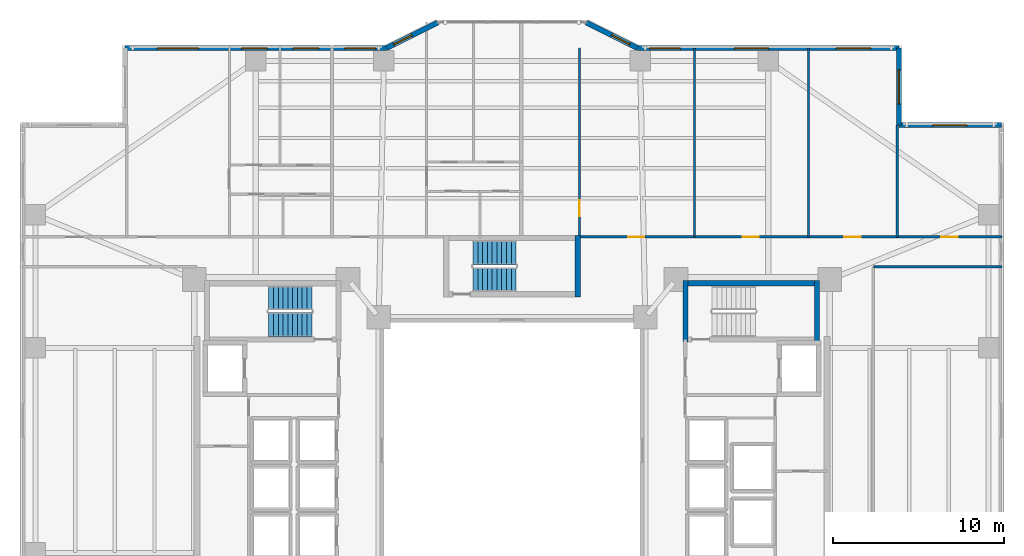
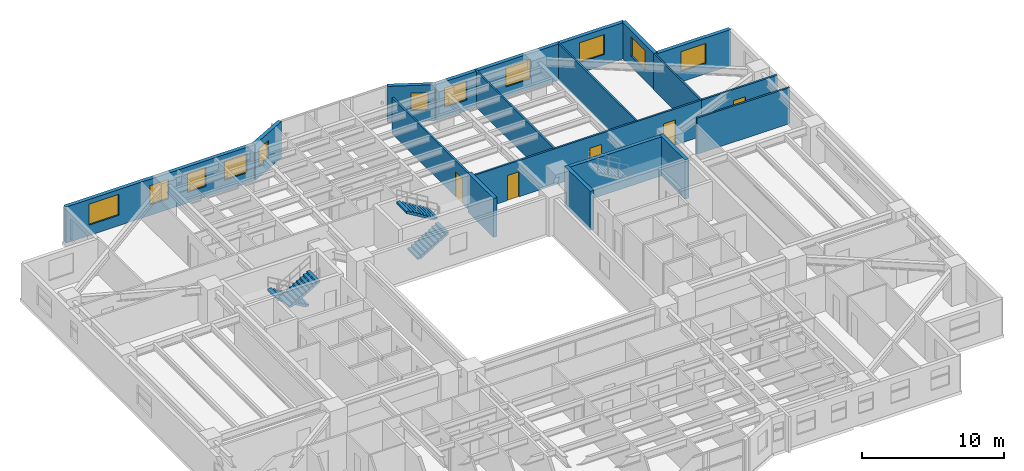
# One storey, part 15 of 21: 17 walls, 11 windows, 5 doors, 4 stair flights, 16 openings, 2 elements without a shape of their own.
"""IFC4 building model written with IfcOpenShell, lengths in metres."""

from ifc_helpers import new_model, si_unit, direction, frame, frame_2d, origin, place, context, subcontext, project, spatial, polyline, rectangle, outline, extrude, material, layer, layer_set, type_object, element, fill, aggregate, save


model = new_model("IFC4")

# Units and contexts
model_context = context("Model", 3, precision=1e-05, world=origin(), true_north=direction((0.0, 1.0)))
body_context = subcontext(model_context, "Body", "Model", "MODEL_VIEW")
ifc_project = project(units=[si_unit("LENGTHUNIT", "METRE"), si_unit("AREAUNIT", "SQUARE_METRE"), si_unit("VOLUMEUNIT", "CUBIC_METRE"), si_unit("PLANEANGLEUNIT", "RADIAN"), si_unit("MASSUNIT", "GRAM", prefix="KILO")], contexts=[model_context])

# Site, building, storey
site_placement = place(None, origin())
site = spatial("IfcSite", under=ifc_project, at=site_placement, CompositionType="ELEMENT")
building_placement = place(site_placement, origin())
building = spatial("IfcBuilding", under=site, at=building_placement, Name="Tarnavaz Court Tower", CompositionType="ELEMENT")
storey_placement = place(building_placement, frame((0.0, 0.0, 37.39990234375)))
storey = spatial("IfcBuildingStorey", under=building, at=storey_placement, Name="L09", CompositionType="ELEMENT", Elevation=37.39990234375)

# Walls
ifc_material_1 = material(Name="Concrete C60/75", Category="concrete")
ifc_layer_1 = layer(ifc_material_1, 0.300048828125)
ifc_layer_set_1 = layer_set([ifc_layer_1], Name="Concrete C60/75")
wall_type_1 = type_object("IfcWallType", Name="WL-CORE-300-C60", PredefinedType="SHEAR", material=ifc_layer_set_1)
wall_1_placement = place(storey_placement, frame((10.0, 9.7900390625, 0.0), z_axis=(0.0, 0.0, 1.0), x_axis=(1.0, 0.0, 0.0)))
element("IfcWall", 1, at=wall_1_placement, inside=storey, type_object=wall_type_1, Name="L09 East Stair Core Wall 005", PredefinedType="SHEAR", context=body_context, shape_type="SweptSolid", body=[
    extrude(rectangle(XDim=8.0, YDim=0.300048828125, at=frame_2d((4.0, 0.0))), origin(), (0.0, 0.0, 1.0), 3.35009765625),
])
for number, where, z_axis, x_axis, name in (
    (2, (10.14990234375, 6.35009765625, 0.0), (0.0, 0.0, 1.0), (0.0, 1.0, 0.0), "L09 East Stair Core Wall 007"),
    (3, (17.85009765625, 6.35009765625, 0.0), (0.0, 0.0, 1.0), (0.0, 1.0, 0.0), "L09 East Stair Core Wall 008"),
):
    element("IfcWall", number, at=place(storey_placement, frame(where, z_axis=z_axis, x_axis=x_axis)), inside=storey, type_object=wall_type_1, Name=name, PredefinedType="SHEAR", context=body_context, shape_type="SweptSolid", body=[
        extrude(rectangle(XDim=3.58984375, YDim=0.300048828125, at=frame_2d((1.794921875, 0.0))), origin(), (0.0, 0.0, 1.0), 3.35009765625),
    ])
wall_2_placement = place(storey_placement, frame((3.85009765625, 9.0, 0.0), z_axis=(0.0, 0.0, 1.0), x_axis=(0.0, 1.0, 0.0)))
element("IfcWall", 4, at=wall_2_placement, inside=storey, type_object=wall_type_1, Name="L09 North Stair Core Wall 012", PredefinedType="SHEAR", context=body_context, shape_type="SweptSolid", body=[
    extrude(rectangle(XDim=3.590087890625, YDim=0.300048828125, at=frame_2d((1.794921875, 0.0))), origin(), (0.0, 0.0, 1.0), 3.35009765625),
])

# Wall, openings, windows
ifc_material_2 = material(Name="Precast Concrete C40/50", Category="concrete")
ifc_layer_2 = layer(ifc_material_2, 0.300048828125)
ifc_layer_set_2 = layer_set([ifc_layer_2], Name="Precast Concrete C40/50")
wall_type_2 = type_object("IfcWallType", Name="WL-EXT-300", PredefinedType="SOLIDWALL", material=ifc_layer_set_2)
wall_3_placement = place(storey_placement, frame((-22.64990234375, 23.550048828125, 0.0), z_axis=(0.0, 0.0, 1.0), x_axis=(1.0, 0.0, 0.0)))
wall_3 = element("IfcWall", 5, at=wall_3_placement, inside=storey, type_object=wall_type_2, Name="L09 Exterior Terracotta Facade Wall 05", PredefinedType="SOLIDWALL", context=body_context, shape_type="SweptSolid", body=[
    extrude(rectangle(XDim=15.2998046875, YDim=0.300048828125, at=frame_2d((7.64990234375, 0.0))), origin(), (0.0, 0.0, 1.0), 3.10009765625),
])
opening_1_placement = place(wall_3_placement, frame((1.885009765625, 0.0, 0.89990234375)))
opening_1 = element("IfcOpeningElement", 6, at=opening_1_placement, cuts=wall_3, Name="Opening W06", PredefinedType="OPENING", context=body_context, shape_type="SweptSolid", body=[
    extrude(rectangle(XDim=2.39990234375, YDim=1.800048828125, at=frame_2d((1.199951171875, 0.89990234375))), frame((0.0, 0.159912109375, 0.0), z_axis=(0.0, -1.0, 0.0), x_axis=(1.0, 0.0, 0.0)), (0.0, 0.0, 1.0), 0.320068359375),
])
opening_2_placement = place(wall_3_placement, frame((6.82470703125, 0.0, 0.89990234375)))
opening_2 = element("IfcOpeningElement", 7, at=opening_2_placement, cuts=wall_3, Name="Opening W03", PredefinedType="OPENING", context=body_context, shape_type="SweptSolid", body=[
    extrude(rectangle(XDim=1.5, YDim=1.64990234375, at=frame_2d((0.75, 0.824951171875))), frame((0.0, 0.159912109375, 0.0), z_axis=(0.0, -1.0, 0.0), x_axis=(1.0, 0.0, 0.0)), (0.0, 0.0, 1.0), 0.320068359375),
])
opening_3_placement = place(wall_3_placement, frame((9.834716796875, 0.0, 0.89990234375)))
opening_3 = element("IfcOpeningElement", 8, at=opening_3_placement, cuts=wall_3, Name="Opening W03", PredefinedType="OPENING", context=body_context, shape_type="SweptSolid", body=[
    extrude(rectangle(XDim=1.5, YDim=1.64990234375, at=frame_2d((0.75, 0.824951171875))), frame((0.0, 0.159912109375, 0.0), z_axis=(0.0, -1.0, 0.0), x_axis=(1.0, 0.0, 0.0)), (0.0, 0.0, 1.0), 0.320068359375),
])
opening_4_placement = place(wall_3_placement, frame((12.8701171875, 0.0, 0.89990234375)))
opening_4 = element("IfcOpeningElement", 9, at=opening_4_placement, cuts=wall_3, Name="Opening W01", PredefinedType="OPENING", context=body_context, shape_type="SweptSolid", body=[
    extrude(rectangle(XDim=1.800048828125, YDim=1.64990234375, at=frame_2d((0.89990234375, 0.824951171875))), frame((0.0, 0.159912109375, 0.0), z_axis=(0.0, -1.0, 0.0), x_axis=(1.0, 0.0, 0.0)), (0.0, 0.0, 1.0), 0.320068359375),
])
ifc_material_3 = material(Name="Double-Glazed Solar Low-E Glass", Category="glass")
window_type_1 = type_object("IfcWindowType", Name="WN-APT-1500", PartitioningType="DOUBLE_PANEL_VERTICAL", PredefinedType="WINDOW", material=ifc_material_3)
window_1_placement = place(opening_2_placement, origin())
window_1 = element("IfcWindow", 10, at=window_1_placement, inside=storey, type_object=window_type_1, Name="L09 Flat 01 Principal Bedroom Window", OverallHeight=1.64990234375, OverallWidth=1.5, PartitioningType="SINGLE_PANEL", PredefinedType="WINDOW", context=body_context, shape_type="SweptSolid", body=[
    extrude(rectangle(XDim=1.5, YDim=1.64990234375, at=frame_2d((0.75, 0.824951171875))), frame((0.0, 0.030029296875, 0.0), z_axis=(0.0, -1.0, 0.0), x_axis=(1.0, 0.0, 0.0)), (0.0, 0.0, 1.0), 0.06005859375),
])
fill(opening_2, window_1)
window_2_placement = place(opening_3_placement, origin())
window_2 = element("IfcWindow", 11, at=window_2_placement, inside=storey, type_object=window_type_1, Name="L09 Flat 01 Bedroom 2 Window", OverallHeight=1.64990234375, OverallWidth=1.5, PartitioningType="SINGLE_PANEL", PredefinedType="WINDOW", context=body_context, shape_type="SweptSolid", body=[
    extrude(rectangle(XDim=1.5, YDim=1.64990234375, at=frame_2d((0.75, 0.824951171875))), frame((0.0, 0.030029296875, 0.0), z_axis=(0.0, -1.0, 0.0), x_axis=(1.0, 0.0, 0.0)), (0.0, 0.0, 1.0), 0.06005859375),
])
fill(opening_3, window_2)
window_type_2 = type_object("IfcWindowType", Name="WN-APT-1800", PartitioningType="DOUBLE_PANEL_VERTICAL", PredefinedType="WINDOW", material=ifc_material_3)
window_3_placement = place(opening_4_placement, origin())
window_3 = element("IfcWindow", 12, at=window_3_placement, inside=storey, type_object=window_type_2, Name="L09 Flat 02 Living and Dining Room Window", OverallHeight=1.64990234375, OverallWidth=1.800048828125, PartitioningType="SINGLE_PANEL", PredefinedType="WINDOW", context=body_context, shape_type="SweptSolid", body=[
    extrude(rectangle(XDim=1.800048828125, YDim=1.64990234375, at=frame_2d((0.89990234375, 0.824951171875))), frame((0.0, 0.030029296875, 0.0), z_axis=(0.0, -1.0, 0.0), x_axis=(1.0, 0.0, 0.0)), (0.0, 0.0, 1.0), 0.06005859375),
])
fill(opening_4, window_3)
window_type_3 = type_object("IfcWindowType", Name="WN-APT-2400", PartitioningType="TRIPLE_PANEL_VERTICAL", PredefinedType="WINDOW", material=ifc_material_3)
window_4_placement = place(opening_1_placement, origin())
window_4 = element("IfcWindow", 13, at=window_4_placement, inside=storey, type_object=window_type_3, Name="L09 Flat 01 Living and Dining Room Window", OverallHeight=1.800048828125, OverallWidth=2.39990234375, PartitioningType="SINGLE_PANEL", PredefinedType="WINDOW", context=body_context, shape_type="SweptSolid", body=[
    extrude(rectangle(XDim=2.39990234375, YDim=1.800048828125, at=frame_2d((1.199951171875, 0.89990234375))), frame((0.0, 0.030029296875, 0.0), z_axis=(0.0, -1.0, 0.0), x_axis=(1.0, 0.0, 0.0)), (0.0, 0.0, 1.0), 0.06005859375),
])
fill(opening_1, window_4)

# Wall, opening, window
wall_4_placement = place(storey_placement, frame((-7.35009765625, 23.550048828125, 0.0), z_axis=(0.0, 0.0, 1.0), x_axis=(0.894427191, 0.4472135955, 0.0)))
wall_4 = element("IfcWall", 14, at=wall_4_placement, inside=storey, type_object=wall_type_2, Name="L09 Exterior Terracotta Facade Wall 06", PredefinedType="SOLIDWALL", context=body_context, shape_type="SweptSolid", body=[
    extrude(rectangle(XDim=3.35400390625, YDim=0.300048828125, at=frame_2d((1.677001953125, 0.0))), origin(), (0.0, 0.0, 1.0), 3.10009765625),
])
opening_5_placement = place(wall_4_placement, frame((0.476318359375, 0.0, 0.949951171875)))
opening_5 = element("IfcOpeningElement", 15, at=opening_5_placement, cuts=wall_4, Name="Opening W05", PredefinedType="OPENING", context=body_context, shape_type="SweptSolid", body=[
    extrude(rectangle(XDim=1.199951171875, YDim=1.5, at=frame_2d((0.60009765625, 0.75))), frame((0.0, 0.159912109375, 0.0), z_axis=(0.0, -1.0, 0.0), x_axis=(1.0, 0.0, 0.0)), (0.0, 0.0, 1.0), 0.320068359375),
])
window_type_4 = type_object("IfcWindowType", Name="WN-APT-1200", PartitioningType="SINGLE_PANEL", PredefinedType="WINDOW", material=ifc_material_3)
window_5_placement = place(opening_5_placement, origin())
window_5 = element("IfcWindow", 16, at=window_5_placement, inside=storey, type_object=window_type_4, Name="L09 Flat 02 Living and Dining Room Window", OverallHeight=1.5, OverallWidth=1.199951171875, PartitioningType="SINGLE_PANEL", PredefinedType="WINDOW", context=body_context, shape_type="SweptSolid", body=[
    extrude(rectangle(XDim=1.199951171875, YDim=1.5, at=frame_2d((0.60009765625, 0.75))), frame((0.0, 0.030029296875, 0.0), z_axis=(0.0, -1.0, 0.0), x_axis=(1.0, 0.0, 0.0)), (0.0, 0.0, 1.0), 0.06005859375),
])
fill(opening_5, window_5)

wall_5_placement = place(storey_placement, frame((4.35009765625, 25.050048828125, 0.0), z_axis=(0.0, 0.0, 1.0), x_axis=(0.894427191, -0.4472135955, 0.0)))
wall_5 = element("IfcWall", 17, at=wall_5_placement, inside=storey, type_object=wall_type_2, Name="L09 Exterior Terracotta Facade Wall 08", PredefinedType="SOLIDWALL", context=body_context, shape_type="SweptSolid", body=[
    extrude(rectangle(XDim=3.35400390625, YDim=0.300048828125, at=frame_2d((1.677001953125, 0.0))), origin(), (0.0, 0.0, 1.0), 3.10009765625),
])
opening_6_placement = place(wall_5_placement, frame((1.65283203125, 0.0, 0.949951171875)))
opening_6 = element("IfcOpeningElement", 18, at=opening_6_placement, cuts=wall_5, Name="Opening W05", PredefinedType="OPENING", context=body_context, shape_type="SweptSolid", body=[
    extrude(rectangle(XDim=1.199951171875, YDim=1.5, at=frame_2d((0.60009765625, 0.75))), frame((0.0, 0.159912109375, 0.0), z_axis=(0.0, -1.0, 0.0), x_axis=(1.0, 0.0, 0.0)), (0.0, 0.0, 1.0), 0.320068359375),
])
window_6_placement = place(opening_6_placement, origin())
window_6 = element("IfcWindow", 19, at=window_6_placement, inside=storey, type_object=window_type_4, Name="L09 Resident Co-Working Study Room Window", OverallHeight=1.5, OverallWidth=1.199951171875, PartitioningType="SINGLE_PANEL", PredefinedType="WINDOW", context=body_context, shape_type="SweptSolid", body=[
    extrude(rectangle(XDim=1.199951171875, YDim=1.5, at=frame_2d((0.60009765625, 0.75))), frame((0.0, 0.030029296875, 0.0), z_axis=(0.0, -1.0, 0.0), x_axis=(1.0, 0.0, 0.0)), (0.0, 0.0, 1.0), 0.06005859375),
])
fill(opening_6, window_6)

# Wall, openings, windows
wall_6_placement = place(storey_placement, frame((7.35009765625, 23.550048828125, 0.0), z_axis=(0.0, 0.0, 1.0), x_axis=(1.0, 0.0, 0.0)))
wall_6 = element("IfcWall", 20, at=wall_6_placement, inside=storey, type_object=wall_type_2, Name="L09 Exterior Terracotta Facade Wall 09", PredefinedType="SOLIDWALL", context=body_context, shape_type="SweptSolid", body=[
    extrude(rectangle(XDim=15.2998046875, YDim=0.300048828125, at=frame_2d((7.64990234375, 0.0))), origin(), (0.0, 0.0, 1.0), 3.10009765625),
])
opening_7_placement = place(wall_6_placement, frame((0.705078125, 0.0, 0.89990234375)))
opening_7 = element("IfcOpeningElement", 21, at=opening_7_placement, cuts=wall_6, Name="Opening W01", PredefinedType="OPENING", context=body_context, shape_type="SweptSolid", body=[
    extrude(rectangle(XDim=1.800048828125, YDim=1.64990234375, at=frame_2d((0.89990234375, 0.824951171875))), frame((0.0, 0.159912109375, 0.0), z_axis=(0.0, -1.0, 0.0), x_axis=(1.0, 0.0, 0.0)), (0.0, 0.0, 1.0), 0.320068359375),
])
opening_8_placement = place(wall_6_placement, frame((5.671875, 0.0, 0.89990234375)))
opening_8 = element("IfcOpeningElement", 22, at=opening_8_placement, cuts=wall_6, Name="Opening W08", PredefinedType="OPENING", context=body_context, shape_type="SweptSolid", body=[
    extrude(rectangle(XDim=2.0, YDim=1.699951171875, at=frame_2d((1.0, 0.85009765625))), frame((0.0, 0.159912109375, 0.0), z_axis=(0.0, -1.0, 0.0), x_axis=(1.0, 0.0, 0.0)), (0.0, 0.0, 1.0), 0.320068359375),
])
opening_9_placement = place(wall_6_placement, frame((11.641357421875, 0.0, 0.89990234375)))
opening_9 = element("IfcOpeningElement", 23, at=opening_9_placement, cuts=wall_6, Name="Opening W08", PredefinedType="OPENING", context=body_context, shape_type="SweptSolid", body=[
    extrude(rectangle(XDim=2.0, YDim=1.699951171875, at=frame_2d((1.0, 0.85009765625))), frame((0.0, 0.159912109375, 0.0), z_axis=(0.0, -1.0, 0.0), x_axis=(1.0, 0.0, 0.0)), (0.0, 0.0, 1.0), 0.320068359375),
])
window_7_placement = place(opening_7_placement, origin())
window_7 = element("IfcWindow", 24, at=window_7_placement, inside=storey, type_object=window_type_2, Name="L09 Resident Co-Working Study Room Window", OverallHeight=1.64990234375, OverallWidth=1.800048828125, PartitioningType="SINGLE_PANEL", PredefinedType="WINDOW", context=body_context, shape_type="SweptSolid", body=[
    extrude(rectangle(XDim=1.800048828125, YDim=1.64990234375, at=frame_2d((0.89990234375, 0.824951171875))), frame((0.0, 0.030029296875, 0.0), z_axis=(0.0, -1.0, 0.0), x_axis=(1.0, 0.0, 0.0)), (0.0, 0.0, 1.0), 0.06005859375),
])
fill(opening_7, window_7)
window_type_5 = type_object("IfcWindowType", Name="WN-APT-2000", PartitioningType="DOUBLE_PANEL_VERTICAL", PredefinedType="WINDOW", material=ifc_material_3)
window_8_placement = place(opening_8_placement, origin())
window_8 = element("IfcWindow", 25, at=window_8_placement, inside=storey, type_object=window_type_5, Name="L09 Quiet Reading Library Room Window", OverallHeight=1.699951171875, OverallWidth=2.0, PartitioningType="SINGLE_PANEL", PredefinedType="WINDOW", context=body_context, shape_type="SweptSolid", body=[
    extrude(rectangle(XDim=2.0, YDim=1.699951171875, at=frame_2d((1.0, 0.85009765625))), frame((0.0, 0.030029296875, 0.0), z_axis=(0.0, -1.0, 0.0), x_axis=(1.0, 0.0, 0.0)), (0.0, 0.0, 1.0), 0.06005859375),
])
fill(opening_8, window_8)
window_9_placement = place(opening_9_placement, origin())
window_9 = element("IfcWindow", 26, at=window_9_placement, inside=storey, type_object=window_type_5, Name="L09 Resident Focus Seminar Room Window", OverallHeight=1.699951171875, OverallWidth=2.0, PartitioningType="SINGLE_PANEL", PredefinedType="WINDOW", context=body_context, shape_type="SweptSolid", body=[
    extrude(rectangle(XDim=2.0, YDim=1.699951171875, at=frame_2d((1.0, 0.85009765625))), frame((0.0, 0.030029296875, 0.0), z_axis=(0.0, -1.0, 0.0), x_axis=(1.0, 0.0, 0.0)), (0.0, 0.0, 1.0), 0.06005859375),
])
fill(opening_9, window_9)

# Wall, opening, window
wall_7_placement = place(storey_placement, frame((22.64990234375, 23.550048828125, 0.0), z_axis=(0.0, 0.0, 1.0), x_axis=(0.0, -1.0, 0.0)))
wall_7 = element("IfcWall", 27, at=wall_7_placement, inside=storey, type_object=wall_type_2, Name="L09 Exterior Terracotta Facade Wall 10", PredefinedType="SOLIDWALL", context=body_context, shape_type="SweptSolid", body=[
    extrude(rectangle(XDim=4.5, YDim=0.300048828125, at=frame_2d((2.25, 0.0))), origin(), (0.0, 0.0, 1.0), 3.10009765625),
])
opening_10_placement = place(wall_7_placement, frame((1.267578125, 0.0, 0.89990234375)))
opening_10 = element("IfcOpeningElement", 28, at=opening_10_placement, cuts=wall_7, Name="Opening W08", PredefinedType="OPENING", context=body_context, shape_type="SweptSolid", body=[
    extrude(rectangle(XDim=2.0, YDim=1.699951171875, at=frame_2d((1.0, 0.85009765625))), frame((0.0, 0.159912109375, 0.0), z_axis=(0.0, -1.0, 0.0), x_axis=(1.0, 0.0, 0.0)), (0.0, 0.0, 1.0), 0.320068359375),
])
window_10_placement = place(opening_10_placement, origin())
window_10 = element("IfcWindow", 29, at=window_10_placement, inside=storey, type_object=window_type_5, Name="L09 Resident Focus Seminar Room Window", OverallHeight=1.699951171875, OverallWidth=2.0, PartitioningType="SINGLE_PANEL", PredefinedType="WINDOW", context=body_context, shape_type="SweptSolid", body=[
    extrude(rectangle(XDim=2.0, YDim=1.699951171875, at=frame_2d((1.0, 0.85009765625))), frame((0.0, 0.030029296875, 0.0), z_axis=(0.0, -1.0, 0.0), x_axis=(1.0, 0.0, 0.0)), (0.0, 0.0, 1.0), 0.06005859375),
])
fill(opening_10, window_10)

wall_8_placement = place(storey_placement, frame((22.64990234375, 19.050048828125, 0.0), z_axis=(0.0, 0.0, 1.0), x_axis=(1.0, 0.0, 0.0)))
wall_8 = element("IfcWall", 30, at=wall_8_placement, inside=storey, type_object=wall_type_2, Name="L09 Exterior Terracotta Facade Wall 11", PredefinedType="SOLIDWALL", context=body_context, shape_type="SweptSolid", body=[
    extrude(rectangle(XDim=6.0, YDim=0.300048828125, at=frame_2d((3.0, 0.0))), origin(), (0.0, 0.0, 1.0), 3.10009765625),
])
opening_11_placement = place(wall_8_placement, frame((1.97509765625, 0.0, 0.89990234375)))
opening_11 = element("IfcOpeningElement", 31, at=opening_11_placement, cuts=wall_8, Name="Opening W08", PredefinedType="OPENING", context=body_context, shape_type="SweptSolid", body=[
    extrude(rectangle(XDim=2.0, YDim=1.699951171875, at=frame_2d((1.0, 0.85009765625))), frame((0.0, 0.159912109375, 0.0), z_axis=(0.0, -1.0, 0.0), x_axis=(1.0, 0.0, 0.0)), (0.0, 0.0, 1.0), 0.320068359375),
])
window_11_placement = place(opening_11_placement, origin())
window_11 = element("IfcWindow", 32, at=window_11_placement, inside=storey, type_object=window_type_5, Name="L09 North-East Corner Sunroom Study Window", OverallHeight=1.699951171875, OverallWidth=2.0, PartitioningType="SINGLE_PANEL", PredefinedType="WINDOW", context=body_context, shape_type="SweptSolid", body=[
    extrude(rectangle(XDim=2.0, YDim=1.699951171875, at=frame_2d((1.0, 0.85009765625))), frame((0.0, 0.030029296875, 0.0), z_axis=(0.0, -1.0, 0.0), x_axis=(1.0, 0.0, 0.0)), (0.0, 0.0, 1.0), 0.06005859375),
])
fill(opening_11, window_11)

# Wall, openings, doors
ifc_material_4 = material(Name="Gypsum Fire-Board on Acoustic Metal Stud", Category="masonry")
ifc_layer_3 = layer(ifc_material_4, 0.14990234375)
ifc_layer_set_3 = layer_set([ifc_layer_3], Name="Gypsum Fire-Board on Acoustic Metal Stud")
wall_type_3 = type_object("IfcWallType", Name="WL-FIRE-150", PredefinedType="PARTITIONING", material=ifc_layer_set_3)
wall_9_placement = place(storey_placement, frame((3.85009765625, 12.5, 0.0), z_axis=(0.0, 0.0, 1.0), x_axis=(1.0, 0.0, 0.0)))
wall_9 = element("IfcWall", 33, at=wall_9_placement, inside=storey, type_object=wall_type_3, Name="L09 NE Wing Corridor Wall 082", PredefinedType="PARTITIONING", context=body_context, shape_type="SweptSolid", body=[
    extrude(rectangle(XDim=18.699951171875, YDim=0.14990234375, at=frame_2d((9.35009765625, 0.0))), origin(), (0.0, 0.0, 1.0), 3.10009765625),
])
opening_12_placement = place(wall_9_placement, frame((2.94189453125, 0.0, 0.0)))
opening_12 = element("IfcOpeningElement", 34, at=opening_12_placement, cuts=wall_9, Name="Opening D13", PredefinedType="OPENING", context=body_context, shape_type="SweptSolid", body=[
    extrude(rectangle(XDim=0.949951171875, YDim=2.14990234375, at=frame_2d((0.47509765625, 1.074951171875))), frame((0.0, 0.0849609375, 0.0), z_axis=(0.0, -1.0, 0.0), x_axis=(1.0, 0.0, 0.0)), (0.0, 0.0, 1.0), 0.169921875),
])
opening_13_placement = place(wall_9_placement, frame((9.64697265625, 0.0, 0.0)))
opening_13 = element("IfcOpeningElement", 35, at=opening_13_placement, cuts=wall_9, Name="Opening D13", PredefinedType="OPENING", context=body_context, shape_type="SweptSolid", body=[
    extrude(rectangle(XDim=0.949951171875, YDim=2.14990234375, at=frame_2d((0.47509765625, 1.074951171875))), frame((0.0, 0.0849609375, 0.0), z_axis=(0.0, -1.0, 0.0), x_axis=(1.0, 0.0, 0.0)), (0.0, 0.0, 1.0), 0.169921875),
])
opening_14_placement = place(wall_9_placement, frame((15.610107421875, 0.0, 0.0)))
opening_14 = element("IfcOpeningElement", 36, at=opening_14_placement, cuts=wall_9, Name="Opening D13", PredefinedType="OPENING", context=body_context, shape_type="SweptSolid", body=[
    extrude(rectangle(XDim=0.949951171875, YDim=2.14990234375, at=frame_2d((0.47509765625, 1.074951171875))), frame((0.0, 0.0849609375, 0.0), z_axis=(0.0, -1.0, 0.0), x_axis=(1.0, 0.0, 0.0)), (0.0, 0.0, 1.0), 0.169921875),
])
ifc_material_5 = material(Name="Engineered Oak Timber", Category="wood")
door_type = type_object("IfcDoorType", Name="DR-INT-950", OperationType="NOTDEFINED", PredefinedType="DOOR", material=ifc_material_5)
door_1_placement = place(opening_12_placement, origin())
door_1 = element("IfcDoor", 37, at=door_1_placement, inside=storey, type_object=door_type, Name="L09 Resident Co-Working Study Room Door", OperationType="SINGLE_SWING_LEFT", OverallHeight=2.14990234375, OverallWidth=0.949951171875, PredefinedType="DOOR", context=body_context, shape_type="SweptSolid", body=[
    extrude(rectangle(XDim=0.949951171875, YDim=2.14990234375, at=frame_2d((0.47509765625, 1.074951171875))), frame((0.0, 0.02490234375, 0.0), z_axis=(0.0, -1.0, 0.0), x_axis=(1.0, 0.0, 0.0)), (0.0, 0.0, 1.0), 0.050048828125),
])
fill(opening_12, door_1)
door_2_placement = place(opening_13_placement, origin())
door_2 = element("IfcDoor", 38, at=door_2_placement, inside=storey, type_object=door_type, Name="L09 Quiet Reading Library Room Door", OperationType="SINGLE_SWING_RIGHT", OverallHeight=2.14990234375, OverallWidth=0.949951171875, PredefinedType="DOOR", context=body_context, shape_type="SweptSolid", body=[
    extrude(rectangle(XDim=0.949951171875, YDim=2.14990234375, at=frame_2d((0.47509765625, 1.074951171875))), frame((0.0, 0.02490234375, 0.0), z_axis=(0.0, -1.0, 0.0), x_axis=(1.0, 0.0, 0.0)), (0.0, 0.0, 1.0), 0.050048828125),
])
fill(opening_13, door_2)
door_3_placement = place(opening_14_placement, origin())
door_3 = element("IfcDoor", 39, at=door_3_placement, inside=storey, type_object=door_type, Name="L09 Resident Focus Seminar Room Door", OperationType="SINGLE_SWING_LEFT", OverallHeight=2.14990234375, OverallWidth=0.949951171875, PredefinedType="DOOR", context=body_context, shape_type="SweptSolid", body=[
    extrude(rectangle(XDim=0.949951171875, YDim=2.14990234375, at=frame_2d((0.47509765625, 1.074951171875))), frame((0.0, 0.02490234375, 0.0), z_axis=(0.0, -1.0, 0.0), x_axis=(1.0, 0.0, 0.0)), (0.0, 0.0, 1.0), 0.050048828125),
])
fill(opening_14, door_3)

# Wall
wall_10_placement = place(storey_placement, frame((21.14990234375, 10.75, 0.0), z_axis=(0.0, 0.0, 1.0), x_axis=(1.0, 0.0, 0.0)))
element("IfcWall", 40, at=wall_10_placement, inside=storey, type_object=wall_type_3, Name="L09 Interior Partition 136", PredefinedType="PARTITIONING", context=body_context, shape_type="SweptSolid", body=[
    extrude(rectangle(XDim=7.530029296875, YDim=0.14990234375, at=frame_2d((3.76513671875, 0.0))), origin(), (0.0, 0.0, 1.0), 3.10009765625),
])

# Wall, opening, door
wall_11_placement = place(storey_placement, frame((22.550048828125, 12.5, 0.0), z_axis=(0.0, 0.0, 1.0), x_axis=(1.0, 0.0, 0.0)))
wall_11 = element("IfcWall", 41, at=wall_11_placement, inside=storey, type_object=wall_type_3, Name="L09 Interior Partition 142", PredefinedType="PARTITIONING", context=body_context, shape_type="SweptSolid", body=[
    extrude(rectangle(XDim=6.1298828125, YDim=0.14990234375, at=frame_2d((3.06494140625, 0.0))), origin(), (0.0, 0.0, 1.0), 3.10009765625),
])
opening_15_placement = place(wall_11_placement, frame((2.590087890625, 0.0, 0.0)))
opening_15 = element("IfcOpeningElement", 42, at=opening_15_placement, cuts=wall_11, Name="Opening D13", PredefinedType="OPENING", context=body_context, shape_type="SweptSolid", body=[
    extrude(rectangle(XDim=0.949951171875, YDim=2.14990234375, at=frame_2d((0.47509765625, 1.074951171875))), frame((0.0, 0.0849609375, 0.0), z_axis=(0.0, -1.0, 0.0), x_axis=(1.0, 0.0, 0.0)), (0.0, 0.0, 1.0), 0.169921875),
])
door_4_placement = place(opening_15_placement, origin())
door_4 = element("IfcDoor", 43, at=door_4_placement, inside=storey, type_object=door_type, Name="L09 NE Sunroom Door", OperationType="SINGLE_SWING_LEFT", OverallHeight=2.14990234375, OverallWidth=0.949951171875, PredefinedType="DOOR", context=body_context, shape_type="SweptSolid", body=[
    extrude(rectangle(XDim=0.949951171875, YDim=2.14990234375, at=frame_2d((0.47509765625, 1.074951171875))), frame((0.0, 0.02490234375, 0.0), z_axis=(0.0, -1.0, 0.0), x_axis=(1.0, 0.0, 0.0)), (0.0, 0.0, 1.0), 0.050048828125),
])
fill(opening_15, door_4)

ifc_material_6 = material(Name="Gypsum Plasterboard Acoustic Partition", Category="masonry")
ifc_layer_4 = layer(ifc_material_6, 0.139892578125)
ifc_layer_set_4 = layer_set([ifc_layer_4], Name="Gypsum Plasterboard Acoustic Partition")
wall_type_4 = type_object("IfcWallType", Name="WL-PART-150", PredefinedType="PARTITIONING", material=ifc_layer_set_4)
wall_12_placement = place(storey_placement, frame((3.949951171875, 12.5, 0.0), z_axis=(0.0, 0.0, 1.0), x_axis=(0.0, 1.0, 0.0)))
wall_12 = element("IfcWall", 44, at=wall_12_placement, inside=storey, type_object=wall_type_4, Name="L09 Interior Partition 101", PredefinedType="PARTITIONING", context=body_context, shape_type="SweptSolid", body=[
    extrude(rectangle(XDim=11.050048828125, YDim=0.139892578125, at=frame_2d((5.52490234375, 0.0))), origin(), (0.0, 0.0, 1.0), 3.10009765625),
])
opening_16_placement = place(wall_12_placement, frame((1.199951171875, 0.0, 0.0)))
opening_16 = element("IfcOpeningElement", 45, at=opening_16_placement, cuts=wall_12, Name="Opening D13", PredefinedType="OPENING", context=body_context, shape_type="SweptSolid", body=[
    extrude(rectangle(XDim=0.949951171875, YDim=2.14990234375, at=frame_2d((0.47509765625, 1.074951171875))), frame((0.0, 0.079833984375, 0.0), z_axis=(0.0, -1.0, 0.0), x_axis=(1.0, 0.0, 0.0)), (0.0, 0.0, 1.0), 0.159912109375),
])
door_5_placement = place(opening_16_placement, origin())
door_5 = element("IfcDoor", 46, at=door_5_placement, inside=storey, type_object=door_type, Name="L09 NE Iwan Reading Door", OperationType="SINGLE_SWING_RIGHT", OverallHeight=2.14990234375, OverallWidth=0.949951171875, PredefinedType="DOOR", context=body_context, shape_type="SweptSolid", body=[
    extrude(rectangle(XDim=0.949951171875, YDim=2.14990234375, at=frame_2d((0.47509765625, 1.074951171875))), frame((0.0, 0.02490234375, 0.0), z_axis=(0.0, -1.0, 0.0), x_axis=(1.0, 0.0, 0.0)), (0.0, 0.0, 1.0), 0.050048828125),
])
fill(opening_16, door_5)

# Walls
for number, where, z_axis, x_axis, name in (
    (47, (10.68408203125, 12.5, 0.0), (0.0, 0.0, 1.0), (0.0, 1.0, 0.0), "L09 Interior Partition 102"),
    (48, (17.35888671875, 12.5, 0.0), (0.0, 0.0, 1.0), (0.0, 1.0, 0.0), "L09 Interior Partition 103"),
):
    element("IfcWall", number, at=place(storey_placement, frame(where, z_axis=z_axis, x_axis=x_axis)), inside=storey, type_object=wall_type_4, Name=name, PredefinedType="PARTITIONING", context=body_context, shape_type="SweptSolid", body=[
        extrude(rectangle(XDim=11.050048828125, YDim=0.139892578125, at=frame_2d((5.52490234375, 0.0))), origin(), (0.0, 0.0, 1.0), 3.10009765625),
    ])
wall_13_placement = place(storey_placement, frame((22.550048828125, 12.5, 0.0), z_axis=(0.0, 0.0, 1.0), x_axis=(0.0, 1.0, 0.0)))
element("IfcWall", 49, at=wall_13_placement, inside=storey, type_object=wall_type_4, Name="L09 Interior Partition 140", PredefinedType="PARTITIONING", context=body_context, shape_type="SweptSolid", body=[
    extrude(rectangle(XDim=6.550048828125, YDim=0.139892578125, at=frame_2d((3.27490234375, 0.0))), origin(), (0.0, 0.0, 1.0), 3.10009765625),
])

# Stair, stair flights
ifc_material_7 = material(Name="Concrete C40/50", Category="concrete")
stair_type = type_object("IfcStairType", Name="ST-TWR-20R", PredefinedType="HALF_TURN_STAIR", material=ifc_material_7)
stair_1_placement = place(storey_placement, origin())
stair_1 = element("IfcStair", 50, at=stair_1_placement, inside=storey, type_object=stair_type, Name="L09 West Core Pressurized Exit Stair ST-W1", PredefinedType="HALF_TURN_STAIR")
stair_flight_type = type_object("IfcStairFlightType", Name="SFL-RC-20R", PredefinedType="STRAIGHT", material=ifc_material_7)
stair_flight_1_placement = place(storey_placement, frame((-11.719970703125, 8.929931640625, 0.0), z_axis=(0.0, 0.0, 1.0), x_axis=(-1.0, 0.0, 0.0)))
stair_flight_1 = element("IfcStairFlight", 51, at=stair_flight_1_placement, type_object=stair_flight_type, Name="ST-W1 flight 1", NumberOfRisers=10, NumberOfTreads=9, PredefinedType="STRAIGHT", RiserHeight=0.1675, TreadLength=0.28, context=body_context, shape_type="SweptSolid", body=[
    extrude(outline(polyline([(0.0, 0.0), (0.0, 0.16748046875), (0.280029296875, 0.16748046875), (0.280029296875, 0.3349609375), (0.56005859375, 0.3349609375), (0.56005859375, 0.50244140625), (0.840087890625, 0.50244140625), (0.840087890625, 0.669921875), (1.1201171875, 0.669921875), (1.1201171875, 0.83740234375), (1.39990234375, 0.83740234375), (1.39990234375, 1.0048828125), (1.679931640625, 1.0048828125), (1.679931640625, 1.172607421875), (1.9599609375, 1.172607421875), (1.9599609375, 1.340087890625), (2.239990234375, 1.340087890625), (2.239990234375, 1.507568359375), (2.52001953125, 1.507568359375), (2.52001953125, 1.675048828125), (2.52001953125, 1.332763671875), (0.2919921875, 0.0), (0.0, 0.0)])), frame((0.0, 0.7099609375, 0.0), z_axis=(0.0, -1.0, 0.0), x_axis=(1.0, 0.0, 0.0)), (0.0, 0.0, 1.0), 1.419921875),
])
stair_flight_2_placement = place(storey_placement, frame((-14.239990234375, 7.360107421875, 1.675048828125), z_axis=(0.0, 0.0, 1.0), x_axis=(1.0, 0.0, 0.0)))
stair_flight_2 = element("IfcStairFlight", 52, at=stair_flight_2_placement, type_object=stair_flight_type, Name="ST-W1 flight 2", NumberOfRisers=10, NumberOfTreads=9, PredefinedType="STRAIGHT", RiserHeight=0.1675, TreadLength=0.28, context=body_context, shape_type="SweptSolid", body=[
    extrude(outline(polyline([(0.0, 0.0), (0.0, 0.16748046875), (0.280029296875, 0.16748046875), (0.280029296875, 0.3349609375), (0.56005859375, 0.3349609375), (0.56005859375, 0.50244140625), (0.840087890625, 0.50244140625), (0.840087890625, 0.669921875), (1.1201171875, 0.669921875), (1.1201171875, 0.83740234375), (1.39990234375, 0.83740234375), (1.39990234375, 1.0048828125), (1.679931640625, 1.0048828125), (1.679931640625, 1.172607421875), (1.9599609375, 1.172607421875), (1.9599609375, 1.340087890625), (2.239990234375, 1.340087890625), (2.239990234375, 1.507568359375), (2.52001953125, 1.507568359375), (2.52001953125, 1.675048828125), (2.52001953125, 1.332763671875), (0.2919921875, 0.0), (0.0, 0.0)])), frame((0.0, 0.7099609375, 0.0), z_axis=(0.0, -1.0, 0.0), x_axis=(1.0, 0.0, 0.0)), (0.0, 0.0, 1.0), 1.419921875),
])
aggregate(stair_1, [stair_flight_1, stair_flight_2])

stair_2_placement = place(storey_placement, origin())
stair_2 = element("IfcStair", 53, at=stair_2_placement, inside=storey, type_object=stair_type, Name="L09 North Ring Pressurized Exit Stair ST-N1", PredefinedType="HALF_TURN_STAIR")
stair_flight_3_placement = place(storey_placement, frame((-2.280029296875, 10.010009765625, 0.0), z_axis=(0.0, 0.0, 1.0), x_axis=(1.0, 0.0, 0.0)))
stair_flight_3 = element("IfcStairFlight", 54, at=stair_flight_3_placement, type_object=stair_flight_type, Name="ST-N1 flight 1", NumberOfRisers=10, NumberOfTreads=9, PredefinedType="STRAIGHT", RiserHeight=0.1675, TreadLength=0.28, context=body_context, shape_type="SweptSolid", body=[
    extrude(outline(polyline([(0.0, 0.0), (0.0, 0.16748046875), (0.280029296875, 0.16748046875), (0.280029296875, 0.3349609375), (0.56005859375, 0.3349609375), (0.56005859375, 0.50244140625), (0.840087890625, 0.50244140625), (0.840087890625, 0.669921875), (1.1201171875, 0.669921875), (1.1201171875, 0.83740234375), (1.39990234375, 0.83740234375), (1.39990234375, 1.0048828125), (1.679931640625, 1.0048828125), (1.679931640625, 1.172607421875), (1.9599609375, 1.172607421875), (1.9599609375, 1.340087890625), (2.239990234375, 1.340087890625), (2.239990234375, 1.507568359375), (2.52001953125, 1.507568359375), (2.52001953125, 1.675048828125), (2.52001953125, 1.332763671875), (0.2919921875, 0.0), (0.0, 0.0)])), frame((0.0, 0.7099609375, 0.0), z_axis=(0.0, -1.0, 0.0), x_axis=(1.0, 0.0, 0.0)), (0.0, 0.0, 1.0), 1.419921875),
])
stair_flight_4_placement = place(storey_placement, frame((0.239990234375, 11.580078125, 1.675048828125), z_axis=(0.0, 0.0, 1.0), x_axis=(-1.0, 0.0, 0.0)))
stair_flight_4 = element("IfcStairFlight", 55, at=stair_flight_4_placement, type_object=stair_flight_type, Name="ST-N1 flight 2", NumberOfRisers=10, NumberOfTreads=9, PredefinedType="STRAIGHT", RiserHeight=0.1675, TreadLength=0.28, context=body_context, shape_type="SweptSolid", body=[
    extrude(outline(polyline([(0.0, 0.0), (0.0, 0.16748046875), (0.280029296875, 0.16748046875), (0.280029296875, 0.3349609375), (0.56005859375, 0.3349609375), (0.56005859375, 0.50244140625), (0.840087890625, 0.50244140625), (0.840087890625, 0.669921875), (1.1201171875, 0.669921875), (1.1201171875, 0.83740234375), (1.39990234375, 0.83740234375), (1.39990234375, 1.0048828125), (1.679931640625, 1.0048828125), (1.679931640625, 1.172607421875), (1.9599609375, 1.172607421875), (1.9599609375, 1.340087890625), (2.239990234375, 1.340087890625), (2.239990234375, 1.507568359375), (2.52001953125, 1.507568359375), (2.52001953125, 1.675048828125), (2.52001953125, 1.332763671875), (0.2919921875, 0.0), (0.0, 0.0)])), frame((0.0, 0.7099609375, 0.0), z_axis=(0.0, -1.0, 0.0), x_axis=(1.0, 0.0, 0.0)), (0.0, 0.0, 1.0), 1.419921875),
])
aggregate(stair_2, [stair_flight_3, stair_flight_4])

save(model, "model.ifc")
